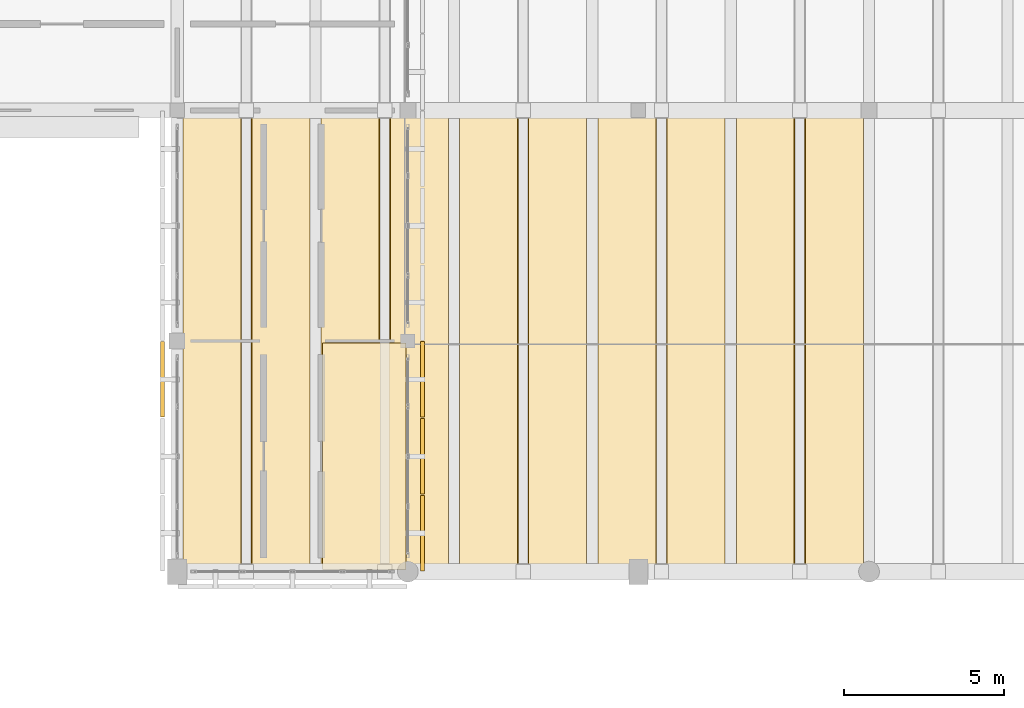
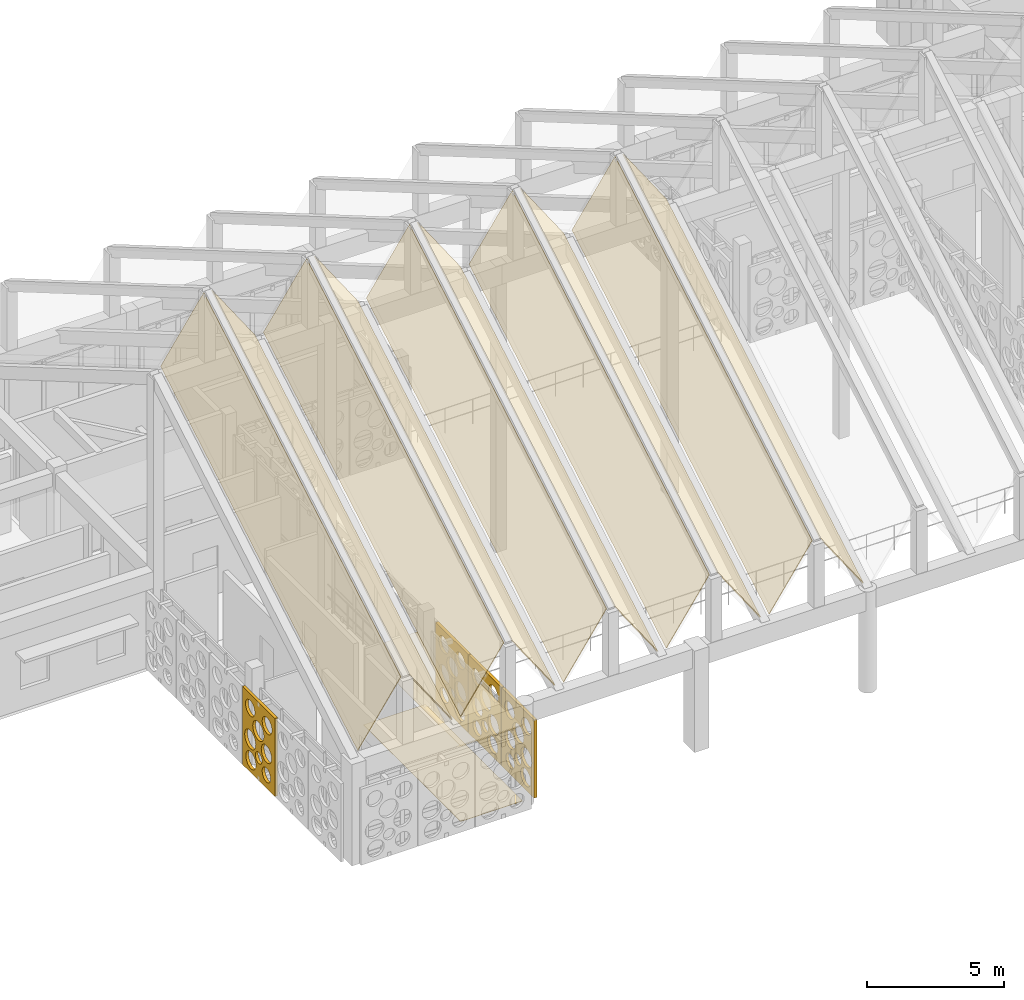
# One storey, part 154 of 171: 16 coverings.
"""IFC4 building model written with IfcOpenShell, lengths in metres."""

from ifc_helpers import new_model, si_unit, direction, frame, origin, place, context, subcontext, project, spatial, polyline, outline, extrude, material, layer, layer_set, type_object, element, save


model = new_model("IFC4")

# Units and contexts
model_context = context("Model", 3, precision=1e-05, world=origin(), true_north=direction((0.0, 1.0)))
body_context = subcontext(model_context, "Body", "Model", "MODEL_VIEW")
ifc_project = project(units=[si_unit("LENGTHUNIT", "METRE"), si_unit("AREAUNIT", "SQUARE_METRE"), si_unit("VOLUMEUNIT", "CUBIC_METRE"), si_unit("PLANEANGLEUNIT", "RADIAN"), si_unit("MASSUNIT", "GRAM", prefix="KILO")], contexts=[model_context])

# Site, building, storey
site_placement = place(None, origin())
site = spatial("IfcSite", under=ifc_project, at=site_placement, CompositionType="ELEMENT")
building_placement = place(site_placement, origin())
building = spatial("IfcBuilding", under=site, at=building_placement, Name="Aldebral Square Health Centre", CompositionType="ELEMENT")
storey_placement = place(building_placement, frame((0.0, 0.0, 4.5)))
storey = spatial("IfcBuildingStorey", under=building, at=storey_placement, Name="L01", CompositionType="ELEMENT", Elevation=4.5)

# Coverings
ifc_material_1 = material(Name="Hygienic acoustic mineral ceiling tile")
ifc_layer_1 = layer(ifc_material_1, 0.02001953125, Name="Hygienic acoustic mineral ceiling tile")
ifc_layer_set_1 = layer_set([ifc_layer_1], Name="Hygienic acoustic mineral ceiling tile")
covering_type_1 = type_object("IfcCoveringType", Name="COV-CLG-AC", PredefinedType="CEILING", material=ifc_layer_set_1)
covering_1_placement = place(storey_placement, frame((0.0, 0.0, 3.340087890625)))
element("IfcCovering", 1, at=covering_1_placement, inside=storey, type_object=covering_type_1, Name="L01 Patient Information Desk 10.11E acoustic ceiling", PredefinedType="CEILING", context=body_context, shape_type="SweptSolid", body=[
    extrude(outline(polyline([(69.340087890625, 72.06005859375), (71.93994140625, 72.06005859375), (71.93994140625, 79.139892578125), (69.340087890625, 79.139892578125), (69.340087890625, 72.06005859375)])), origin(), (0.0, 0.0, 1.0), 0.02001953125),
])
ifc_material_2 = material(Name="Antimicrobial clinical vinyl flooring")
ifc_layer_2 = layer(ifc_material_2, 0.014892578125, Name="Antimicrobial clinical vinyl flooring")
ifc_layer_set_2 = layer_set([ifc_layer_2], Name="Antimicrobial clinical vinyl flooring")
covering_type_2 = type_object("IfcCoveringType", Name="COV-FLR-VN", PredefinedType="FLOORING", material=ifc_layer_set_2)
covering_2_placement = place(storey_placement, origin())
element("IfcCovering", 2, at=covering_2_placement, inside=storey, type_object=covering_type_2, Name="L01 Patient Information Desk 10.11E clinical flooring", PredefinedType="FLOORING", context=body_context, shape_type="SweptSolid", body=[
    extrude(outline(polyline([(69.340087890625, 72.06005859375), (71.93994140625, 72.06005859375), (71.93994140625, 79.139892578125), (69.340087890625, 79.139892578125), (69.340087890625, 72.06005859375)])), origin(), (0.0, 0.0, 1.0), 0.014892578125),
])
ifc_material_3 = material(Name="Insulated mineral standing-seam roofing")
ifc_layer_3 = layer(ifc_material_3, 0.0400390625, Name="Insulated mineral standing-seam roofing")
ifc_layer_set_3 = layer_set([ifc_layer_3], Name="Insulated mineral standing-seam roofing")
covering_type_3 = type_object("IfcCoveringType", Name="COV-RF-40", PredefinedType="ROOFING", material=ifc_layer_set_3)
covering_3_placement = place(storey_placement, frame((64.97509765625, 72.0, 4.735595703125), z_axis=(-0.783166464322, -0.313311395424, 0.537109168288), x_axis=(0.565586180238, 0.0, 0.824689197652)))
element("IfcCovering", 3, at=covering_3_placement, inside=storey, type_object=covering_type_3, Name="Waiting Hall folded-plate roof bay 1 SW standing-seam roofing", PredefinedType="ROOFING", context=body_context, shape_type="SweptSolid", body=[
    extrude(outline(polyline([(0.0, 0.0), (3.19989157507911, 0.0), (10.098408659831637, 15.100385570024905), (6.898517084752526, 15.100385570024907), (0.0, 0.0)])), origin(), (0.0, 0.0, -1.0), 0.0400390625),
])
covering_4_placement = place(storey_placement, frame((67.135009765625, 72.0, 7.37451171875), z_axis=(0.783125616046, -0.3133373167, 0.537153605085), x_axis=(0.565638067086, 0.0, -0.82465361035)))
element("IfcCovering", 4, at=covering_4_placement, inside=storey, type_object=covering_type_3, Name="Waiting Hall folded-plate roof bay 1 SE standing-seam roofing", PredefinedType="ROOFING", context=body_context, shape_type="SweptSolid", body=[
    extrude(outline(polyline([(0.0, 0.0), (3.2000296639766255, -5.551115123125783e-17), (-3.6981897333421103, 15.100521563128028), (-6.898219397318735, 15.100521563128028), (0.0, 0.0)])), origin(), (0.0, 0.0, -1.0), 0.0400390625),
])
covering_5_placement = place(storey_placement, frame((69.294921875, 72.0, 4.735595703125), z_axis=(-0.783125616046, -0.3133373167, 0.537153605085), x_axis=(0.565638067086, 0.0, 0.82465361035)))
element("IfcCovering", 5, at=covering_5_placement, inside=storey, type_object=covering_type_3, Name="Waiting Hall folded-plate roof bay 2 SW standing-seam roofing", PredefinedType="ROOFING", context=body_context, shape_type="SweptSolid", body=[
    extrude(outline(polyline([(0.0, 0.0), (3.2000296639766255, 5.551115123125783e-17), (10.09824906129536, 15.100521563128028), (6.898219397318735, 15.100521563128028), (0.0, 0.0)])), origin(), (0.0, 0.0, -1.0), 0.0400390625),
])
covering_6_placement = place(storey_placement, frame((71.455078125, 72.0, 7.37451171875), z_axis=(0.783166464322, -0.313311395424, 0.537109168288), x_axis=(0.565586180238, 0.0, -0.824689197652)))
element("IfcCovering", 6, at=covering_6_placement, inside=storey, type_object=covering_type_3, Name="Waiting Hall folded-plate roof bay 2 SE standing-seam roofing", PredefinedType="ROOFING", context=body_context, shape_type="SweptSolid", body=[
    extrude(outline(polyline([(0.0, 0.0), (3.19989157507911, 0.0), (-3.6986255096734153, 15.100385570024907), (-6.898517084752526, 15.100385570024907), (0.0, 0.0)])), origin(), (0.0, 0.0, -1.0), 0.0400390625),
])
covering_7_placement = place(storey_placement, frame((73.614990234375, 72.0, 4.735595703125), z_axis=(-0.783125616046, -0.3133373167, 0.537153605085), x_axis=(0.565638067086, 0.0, 0.82465361035)))
element("IfcCovering", 7, at=covering_7_placement, inside=storey, type_object=covering_type_3, Name="Waiting Hall folded-plate roof bay 3 SW standing-seam roofing", PredefinedType="ROOFING", context=body_context, shape_type="SweptSolid", body=[
    extrude(outline(polyline([(0.0, 0.0), (3.2000296639766255, 5.551115123125783e-17), (10.09824906129536, 15.100521563128028), (6.898219397318735, 15.100521563128028), (0.0, 0.0)])), origin(), (0.0, 0.0, -1.0), 0.0400390625),
])
covering_8_placement = place(storey_placement, frame((75.77490234375, 72.0, 7.37451171875), z_axis=(0.783125616046, -0.3133373167, 0.537153605085), x_axis=(0.565638067086, 0.0, -0.82465361035)))
element("IfcCovering", 8, at=covering_8_placement, inside=storey, type_object=covering_type_3, Name="Waiting Hall folded-plate roof bay 3 SE standing-seam roofing", PredefinedType="ROOFING", context=body_context, shape_type="SweptSolid", body=[
    extrude(outline(polyline([(0.0, 0.0), (3.2000296639766255, -5.551115123125783e-17), (-3.6981897333421103, 15.100521563128028), (-6.898219397318735, 15.100521563128028), (0.0, 0.0)])), origin(), (0.0, 0.0, -1.0), 0.0400390625),
])
covering_9_placement = place(storey_placement, frame((77.93505859375, 72.0, 4.735595703125), z_axis=(-0.783125616046, -0.3133373167, 0.537153605085), x_axis=(0.565638067086, 0.0, 0.82465361035)))
element("IfcCovering", 9, at=covering_9_placement, inside=storey, type_object=covering_type_3, Name="Waiting Hall folded-plate roof bay 4 SW standing-seam roofing", PredefinedType="ROOFING", context=body_context, shape_type="SweptSolid", body=[
    extrude(outline(polyline([(0.0, 0.0), (3.2000296639766255, 5.551115123125783e-17), (10.09824906129536, 15.100521563128028), (6.898219397318735, 15.100521563128028), (0.0, 0.0)])), origin(), (0.0, 0.0, -1.0), 0.0400390625),
])
covering_10_placement = place(storey_placement, frame((80.094970703125, 72.0, 7.37451171875), z_axis=(0.783125616046, -0.3133373167, 0.537153605085), x_axis=(0.565638067086, 0.0, -0.82465361035)))
element("IfcCovering", 10, at=covering_10_placement, inside=storey, type_object=covering_type_3, Name="Waiting Hall folded-plate roof bay 4 SE standing-seam roofing", PredefinedType="ROOFING", context=body_context, shape_type="SweptSolid", body=[
    extrude(outline(polyline([(0.0, 0.0), (3.2000296639766255, -5.551115123125783e-17), (-3.6981897333421103, 15.100521563128028), (-6.898219397318735, 15.100521563128028), (0.0, 0.0)])), origin(), (0.0, 0.0, -1.0), 0.0400390625),
])
covering_11_placement = place(storey_placement, frame((82.2548828125, 72.0, 4.735595703125), z_axis=(-0.783125616046, -0.3133373167, 0.537153605085), x_axis=(0.565638067086, 0.0, 0.82465361035)))
element("IfcCovering", 11, at=covering_11_placement, inside=storey, type_object=covering_type_3, Name="Waiting Hall folded-plate roof bay 5 SW standing-seam roofing", PredefinedType="ROOFING", context=body_context, shape_type="SweptSolid", body=[
    extrude(outline(polyline([(0.0, 0.0), (3.2000296639766255, 5.551115123125783e-17), (10.09824906129536, 15.100521563128028), (6.898219397318735, 15.100521563128028), (0.0, 0.0)])), origin(), (0.0, 0.0, -1.0), 0.0400390625),
])
covering_12_placement = place(storey_placement, frame((84.4150390625, 72.0, 7.37451171875), z_axis=(0.783125616046, -0.3133373167, 0.537153605085), x_axis=(0.565638067086, 0.0, -0.82465361035)))
element("IfcCovering", 12, at=covering_12_placement, inside=storey, type_object=covering_type_3, Name="Waiting Hall folded-plate roof bay 5 SE standing-seam roofing", PredefinedType="ROOFING", context=body_context, shape_type="SweptSolid", body=[
    extrude(outline(polyline([(0.0, 0.0), (3.2000296639766255, -5.551115123125783e-17), (-3.6981897333421103, 15.100521563128028), (-6.898219397318735, 15.100521563128028), (0.0, 0.0)])), origin(), (0.0, 0.0, -1.0), 0.0400390625),
])
ifc_material_4 = material(Name="Cream cantera perforated stone screen", Category="masonry")
ifc_layer_4 = layer(ifc_material_4, 0.1201171875, Name="Cream cantera perforated stone screen", Category="masonry")
ifc_layer_set_4 = layer_set([ifc_layer_4], Name="Cream cantera perforated stone screen")
covering_type_4 = type_object("IfcCoveringType", Name="COV-SCR-120", PredefinedType="CLADDING", material=ifc_layer_set_4)
covering_13_placement = place(storey_placement, frame((64.340087890625, 79.179931640625, 0.0), z_axis=(0.0, 0.0, 1.0), x_axis=(0.0, -1.0, 0.0)))
element("IfcCovering", 13, at=covering_13_placement, inside=storey, type_object=covering_type_4, Name="L01 V1 circular-aperture stone screen L01-V1-09-10-W.1", PredefinedType="CLADDING", context=body_context, shape_type="SweptSolid", body=[
    extrude(outline(polyline([(0.0, 0.0), (2.35986328125, 0.0), (2.35986328125, 3.469970703125), (0.0, 3.469970703125), (0.0, 0.0)]), holes=[polyline([(0.98486328125, 0.55517578125), (0.966552734375, 0.4404296875), (0.913818359375, 0.3369140625), (0.831787109375, 0.2548828125), (0.728271484375, 0.2021484375), (0.613525390625, 0.18408203125), (0.498779296875, 0.2021484375), (0.3955078125, 0.2548828125), (0.313232421875, 0.3369140625), (0.260498046875, 0.4404296875), (0.242431640625, 0.55517578125), (0.260498046875, 0.669921875), (0.313232421875, 0.7734375), (0.3955078125, 0.85546875), (0.498779296875, 0.908203125), (0.613525390625, 0.926513671875), (0.728271484375, 0.908203125), (0.831787109375, 0.85546875), (0.913818359375, 0.7734375), (0.966552734375, 0.669921875), (0.98486328125, 0.55517578125)]), polyline([(2.059326171875, 0.58984375), (2.0439453125, 0.4931640625), (1.99951171875, 0.406005859375), (1.930419921875, 0.336669921875), (1.843017578125, 0.292236328125), (1.746337890625, 0.277099609375), (1.649658203125, 0.292236328125), (1.5625, 0.336669921875), (1.4931640625, 0.406005859375), (1.44873046875, 0.4931640625), (1.43359375, 0.58984375), (1.44873046875, 0.6865234375), (1.4931640625, 0.77392578125), (1.5625, 0.843017578125), (1.649658203125, 0.887451171875), (1.746337890625, 0.90283203125), (1.843017578125, 0.887451171875), (1.930419921875, 0.843017578125), (1.99951171875, 0.77392578125), (2.0439453125, 0.6865234375), (2.059326171875, 0.58984375)]), polyline([(0.970703125, 1.45751953125), (0.950927734375, 1.33251953125), (0.8935546875, 1.2197265625), (0.803955078125, 1.13037109375), (0.69140625, 1.072998046875), (0.56640625, 1.052978515625), (0.44140625, 1.072998046875), (0.328857421875, 1.13037109375), (0.2392578125, 1.2197265625), (0.181884765625, 1.33251953125), (0.162109375, 1.45751953125), (0.181884765625, 1.582275390625), (0.2392578125, 1.695068359375), (0.328857421875, 1.784423828125), (0.44140625, 1.841796875), (0.56640625, 1.86181640625), (0.69140625, 1.841796875), (0.803955078125, 1.784423828125), (0.8935546875, 1.695068359375), (0.950927734375, 1.582275390625), (0.970703125, 1.45751953125)]), polyline([(2.124267578125, 1.52685546875), (2.105712890625, 1.41015625), (2.052001953125, 1.3046875), (1.968505859375, 1.22119140625), (1.863037109375, 1.16748046875), (1.746337890625, 1.14892578125), (1.629638671875, 1.16748046875), (1.5244140625, 1.22119140625), (1.440673828125, 1.3046875), (1.38720703125, 1.41015625), (1.36865234375, 1.52685546875), (1.38720703125, 1.6435546875), (1.440673828125, 1.748779296875), (1.5244140625, 1.83251953125), (1.629638671875, 1.88623046875), (1.746337890625, 1.904541015625), (1.863037109375, 1.88623046875), (1.968505859375, 1.83251953125), (2.052001953125, 1.748779296875), (2.105712890625, 1.6435546875), (2.124267578125, 1.52685546875)]), polyline([(1.42431640625, 1.00634765625), (1.412353515625, 0.9306640625), (1.377685546875, 0.862548828125), (1.32373046875, 0.80859375), (1.255615234375, 0.77392578125), (1.179931640625, 0.761962890625), (1.1044921875, 0.77392578125), (1.036376953125, 0.80859375), (0.982177734375, 0.862548828125), (0.947509765625, 0.9306640625), (0.935546875, 1.00634765625), (0.947509765625, 1.081787109375), (0.982177734375, 1.14990234375), (1.036376953125, 1.2041015625), (1.1044921875, 1.23876953125), (1.179931640625, 1.250732421875), (1.255615234375, 1.23876953125), (1.32373046875, 1.2041015625), (1.377685546875, 1.14990234375), (1.412353515625, 1.081787109375), (1.42431640625, 1.00634765625)]), polyline([(1.563232421875, 2.18603515625), (1.54345703125, 2.060302734375), (1.485595703125, 1.947021484375), (1.3955078125, 1.85693359375), (1.2822265625, 1.799072265625), (1.156494140625, 1.779296875), (1.03076171875, 1.799072265625), (0.917236328125, 1.85693359375), (0.8271484375, 1.947021484375), (0.76953125, 2.060302734375), (0.74951171875, 2.18603515625), (0.76953125, 2.311767578125), (0.8271484375, 2.42529296875), (0.917236328125, 2.515380859375), (1.03076171875, 2.572998046875), (1.156494140625, 2.593017578125), (1.2822265625, 2.572998046875), (1.3955078125, 2.515380859375), (1.485595703125, 2.42529296875), (1.54345703125, 2.311767578125), (1.563232421875, 2.18603515625)]), polyline([(0.9091796875, 2.845458984375), (0.892333984375, 2.739501953125), (0.84375, 2.64404296875), (0.767822265625, 2.568115234375), (0.67236328125, 2.51953125), (0.56640625, 2.502685546875), (0.46044921875, 2.51953125), (0.364990234375, 2.568115234375), (0.2890625, 2.64404296875), (0.240478515625, 2.739501953125), (0.2236328125, 2.845458984375), (0.240478515625, 2.951416015625), (0.2890625, 3.046875), (0.364990234375, 3.12255859375), (0.46044921875, 3.17138671875), (0.56640625, 3.18798828125), (0.67236328125, 3.17138671875), (0.767822265625, 3.12255859375), (0.84375, 3.046875), (0.892333984375, 2.951416015625), (0.9091796875, 2.845458984375)]), polyline([(2.1513671875, 2.810791015625), (2.1337890625, 2.7001953125), (2.0830078125, 2.600341796875), (2.00390625, 2.521240234375), (1.904052734375, 2.470458984375), (1.793701171875, 2.452880859375), (1.68310546875, 2.470458984375), (1.583251953125, 2.521240234375), (1.504150390625, 2.600341796875), (1.453369140625, 2.7001953125), (1.435791015625, 2.810791015625), (1.453369140625, 2.921142578125), (1.504150390625, 3.02099609375), (1.583251953125, 3.10009765625), (1.68310546875, 3.15087890625), (1.793701171875, 3.16845703125), (1.904052734375, 3.15087890625), (2.00390625, 3.10009765625), (2.0830078125, 3.02099609375), (2.1337890625, 2.921142578125), (2.1513671875, 2.810791015625)])]), frame((0.0, 0.06005859375, 0.0), z_axis=(0.0, -1.0, 0.0), x_axis=(1.0, 0.0, 0.0)), (0.0, 0.0, 1.0), 0.1201171875),
])
covering_14_placement = place(storey_placement, frame((72.4599609375, 72.02001953125, 0.0), z_axis=(0.0, 0.0, 1.0), x_axis=(0.0, 1.0, 0.0)))
element("IfcCovering", 14, at=covering_14_placement, inside=storey, type_object=covering_type_4, Name="L01 V1 circular-aperture stone screen L01-V1-09-10-E.1", PredefinedType="CLADDING", context=body_context, shape_type="SweptSolid", body=[
    extrude(outline(polyline([(0.0, 0.0), (2.35986328125, 0.0), (2.35986328125, 3.469970703125), (0.0, 3.469970703125), (0.0, 0.0)]), holes=[polyline([(0.98486328125, 0.55517578125), (0.966552734375, 0.4404296875), (0.913818359375, 0.3369140625), (0.831787109375, 0.2548828125), (0.728271484375, 0.2021484375), (0.613525390625, 0.18408203125), (0.498779296875, 0.2021484375), (0.3955078125, 0.2548828125), (0.313232421875, 0.3369140625), (0.260498046875, 0.4404296875), (0.242431640625, 0.55517578125), (0.260498046875, 0.669921875), (0.313232421875, 0.7734375), (0.3955078125, 0.85546875), (0.498779296875, 0.908203125), (0.613525390625, 0.926513671875), (0.728271484375, 0.908203125), (0.831787109375, 0.85546875), (0.913818359375, 0.7734375), (0.966552734375, 0.669921875), (0.98486328125, 0.55517578125)]), polyline([(2.059326171875, 0.58984375), (2.0439453125, 0.4931640625), (1.99951171875, 0.406005859375), (1.930419921875, 0.336669921875), (1.843017578125, 0.292236328125), (1.746337890625, 0.277099609375), (1.649658203125, 0.292236328125), (1.5625, 0.336669921875), (1.4931640625, 0.406005859375), (1.44873046875, 0.4931640625), (1.43359375, 0.58984375), (1.44873046875, 0.6865234375), (1.4931640625, 0.77392578125), (1.5625, 0.843017578125), (1.649658203125, 0.887451171875), (1.746337890625, 0.90283203125), (1.843017578125, 0.887451171875), (1.930419921875, 0.843017578125), (1.99951171875, 0.77392578125), (2.0439453125, 0.6865234375), (2.059326171875, 0.58984375)]), polyline([(0.970703125, 1.45751953125), (0.950927734375, 1.33251953125), (0.8935546875, 1.2197265625), (0.803955078125, 1.13037109375), (0.69140625, 1.072998046875), (0.56640625, 1.052978515625), (0.44140625, 1.072998046875), (0.328857421875, 1.13037109375), (0.2392578125, 1.2197265625), (0.181884765625, 1.33251953125), (0.162109375, 1.45751953125), (0.181884765625, 1.582275390625), (0.2392578125, 1.695068359375), (0.328857421875, 1.784423828125), (0.44140625, 1.841796875), (0.56640625, 1.86181640625), (0.69140625, 1.841796875), (0.803955078125, 1.784423828125), (0.8935546875, 1.695068359375), (0.950927734375, 1.582275390625), (0.970703125, 1.45751953125)]), polyline([(2.124267578125, 1.52685546875), (2.105712890625, 1.41015625), (2.052001953125, 1.3046875), (1.968505859375, 1.22119140625), (1.863037109375, 1.16748046875), (1.746337890625, 1.14892578125), (1.629638671875, 1.16748046875), (1.5244140625, 1.22119140625), (1.440673828125, 1.3046875), (1.38720703125, 1.41015625), (1.36865234375, 1.52685546875), (1.38720703125, 1.6435546875), (1.440673828125, 1.748779296875), (1.5244140625, 1.83251953125), (1.629638671875, 1.88623046875), (1.746337890625, 1.904541015625), (1.863037109375, 1.88623046875), (1.968505859375, 1.83251953125), (2.052001953125, 1.748779296875), (2.105712890625, 1.6435546875), (2.124267578125, 1.52685546875)]), polyline([(1.42431640625, 1.00634765625), (1.412353515625, 0.9306640625), (1.377685546875, 0.862548828125), (1.32373046875, 0.80859375), (1.255615234375, 0.77392578125), (1.179931640625, 0.761962890625), (1.1044921875, 0.77392578125), (1.036376953125, 0.80859375), (0.982177734375, 0.862548828125), (0.947509765625, 0.9306640625), (0.935546875, 1.00634765625), (0.947509765625, 1.081787109375), (0.982177734375, 1.14990234375), (1.036376953125, 1.2041015625), (1.1044921875, 1.23876953125), (1.179931640625, 1.250732421875), (1.255615234375, 1.23876953125), (1.32373046875, 1.2041015625), (1.377685546875, 1.14990234375), (1.412353515625, 1.081787109375), (1.42431640625, 1.00634765625)]), polyline([(1.563232421875, 2.18603515625), (1.54345703125, 2.060302734375), (1.485595703125, 1.947021484375), (1.3955078125, 1.85693359375), (1.2822265625, 1.799072265625), (1.156494140625, 1.779296875), (1.03076171875, 1.799072265625), (0.917236328125, 1.85693359375), (0.8271484375, 1.947021484375), (0.76953125, 2.060302734375), (0.74951171875, 2.18603515625), (0.76953125, 2.311767578125), (0.8271484375, 2.42529296875), (0.917236328125, 2.515380859375), (1.03076171875, 2.572998046875), (1.156494140625, 2.593017578125), (1.2822265625, 2.572998046875), (1.3955078125, 2.515380859375), (1.485595703125, 2.42529296875), (1.54345703125, 2.311767578125), (1.563232421875, 2.18603515625)]), polyline([(0.9091796875, 2.845458984375), (0.892333984375, 2.739501953125), (0.84375, 2.64404296875), (0.767822265625, 2.568115234375), (0.67236328125, 2.51953125), (0.56640625, 2.502685546875), (0.46044921875, 2.51953125), (0.364990234375, 2.568115234375), (0.2890625, 2.64404296875), (0.240478515625, 2.739501953125), (0.2236328125, 2.845458984375), (0.240478515625, 2.951416015625), (0.2890625, 3.046875), (0.364990234375, 3.12255859375), (0.46044921875, 3.17138671875), (0.56640625, 3.18798828125), (0.67236328125, 3.17138671875), (0.767822265625, 3.12255859375), (0.84375, 3.046875), (0.892333984375, 2.951416015625), (0.9091796875, 2.845458984375)]), polyline([(2.1513671875, 2.810791015625), (2.1337890625, 2.7001953125), (2.0830078125, 2.600341796875), (2.00390625, 2.521240234375), (1.904052734375, 2.470458984375), (1.793701171875, 2.452880859375), (1.68310546875, 2.470458984375), (1.583251953125, 2.521240234375), (1.504150390625, 2.600341796875), (1.453369140625, 2.7001953125), (1.435791015625, 2.810791015625), (1.453369140625, 2.921142578125), (1.504150390625, 3.02099609375), (1.583251953125, 3.10009765625), (1.68310546875, 3.15087890625), (1.793701171875, 3.16845703125), (1.904052734375, 3.15087890625), (2.00390625, 3.10009765625), (2.0830078125, 3.02099609375), (2.1337890625, 2.921142578125), (2.1513671875, 2.810791015625)])]), frame((0.0, 0.06005859375, 0.0), z_axis=(0.0, -1.0, 0.0), x_axis=(1.0, 0.0, 0.0)), (0.0, 0.0, 1.0), 0.1201171875),
])
covering_15_placement = place(storey_placement, frame((72.4599609375, 74.419921875, 0.0), z_axis=(0.0, 0.0, 1.0), x_axis=(0.0, 1.0, 0.0)))
element("IfcCovering", 15, at=covering_15_placement, inside=storey, type_object=covering_type_4, Name="L01 V1 circular-aperture stone screen L01-V1-09-10-E.2", PredefinedType="CLADDING", context=body_context, shape_type="SweptSolid", body=[
    extrude(outline(polyline([(0.0, 0.0), (2.360107421875, 0.0), (2.360107421875, 3.469970703125), (0.0, 3.469970703125), (0.0, 0.0)]), holes=[polyline([(0.98486328125, 0.55517578125), (0.966552734375, 0.4404296875), (0.913818359375, 0.3369140625), (0.831787109375, 0.2548828125), (0.728271484375, 0.2021484375), (0.613525390625, 0.18408203125), (0.498779296875, 0.2021484375), (0.3955078125, 0.2548828125), (0.313232421875, 0.3369140625), (0.260498046875, 0.4404296875), (0.242431640625, 0.55517578125), (0.260498046875, 0.669921875), (0.313232421875, 0.7734375), (0.3955078125, 0.85546875), (0.498779296875, 0.908203125), (0.613525390625, 0.926513671875), (0.728271484375, 0.908203125), (0.831787109375, 0.85546875), (0.913818359375, 0.7734375), (0.966552734375, 0.669921875), (0.98486328125, 0.55517578125)]), polyline([(2.059326171875, 0.58984375), (2.0439453125, 0.4931640625), (1.99951171875, 0.406005859375), (1.930419921875, 0.336669921875), (1.843017578125, 0.292236328125), (1.746337890625, 0.277099609375), (1.649658203125, 0.292236328125), (1.5625, 0.336669921875), (1.4931640625, 0.406005859375), (1.44873046875, 0.4931640625), (1.43359375, 0.58984375), (1.44873046875, 0.6865234375), (1.4931640625, 0.77392578125), (1.5625, 0.843017578125), (1.649658203125, 0.887451171875), (1.746337890625, 0.90283203125), (1.843017578125, 0.887451171875), (1.930419921875, 0.843017578125), (1.99951171875, 0.77392578125), (2.0439453125, 0.6865234375), (2.059326171875, 0.58984375)]), polyline([(0.970703125, 1.45751953125), (0.950927734375, 1.33251953125), (0.8935546875, 1.2197265625), (0.803955078125, 1.13037109375), (0.69140625, 1.072998046875), (0.56640625, 1.052978515625), (0.44140625, 1.072998046875), (0.328857421875, 1.13037109375), (0.2392578125, 1.2197265625), (0.181884765625, 1.33251953125), (0.162109375, 1.45751953125), (0.181884765625, 1.582275390625), (0.2392578125, 1.695068359375), (0.328857421875, 1.784423828125), (0.44140625, 1.841796875), (0.56640625, 1.86181640625), (0.69140625, 1.841796875), (0.803955078125, 1.784423828125), (0.8935546875, 1.695068359375), (0.950927734375, 1.582275390625), (0.970703125, 1.45751953125)]), polyline([(2.124267578125, 1.52685546875), (2.105712890625, 1.41015625), (2.052001953125, 1.3046875), (1.968505859375, 1.22119140625), (1.863037109375, 1.16748046875), (1.746337890625, 1.14892578125), (1.629638671875, 1.16748046875), (1.5244140625, 1.22119140625), (1.440673828125, 1.3046875), (1.38720703125, 1.41015625), (1.36865234375, 1.52685546875), (1.38720703125, 1.6435546875), (1.440673828125, 1.748779296875), (1.5244140625, 1.83251953125), (1.629638671875, 1.88623046875), (1.746337890625, 1.904541015625), (1.863037109375, 1.88623046875), (1.968505859375, 1.83251953125), (2.052001953125, 1.748779296875), (2.105712890625, 1.6435546875), (2.124267578125, 1.52685546875)]), polyline([(1.42431640625, 1.00634765625), (1.412353515625, 0.9306640625), (1.377685546875, 0.862548828125), (1.32373046875, 0.80859375), (1.255615234375, 0.77392578125), (1.179931640625, 0.761962890625), (1.1044921875, 0.77392578125), (1.036376953125, 0.80859375), (0.982177734375, 0.862548828125), (0.947509765625, 0.9306640625), (0.935546875, 1.00634765625), (0.947509765625, 1.081787109375), (0.982177734375, 1.14990234375), (1.036376953125, 1.2041015625), (1.1044921875, 1.23876953125), (1.179931640625, 1.250732421875), (1.255615234375, 1.23876953125), (1.32373046875, 1.2041015625), (1.377685546875, 1.14990234375), (1.412353515625, 1.081787109375), (1.42431640625, 1.00634765625)]), polyline([(1.563232421875, 2.18603515625), (1.54345703125, 2.060302734375), (1.485595703125, 1.947021484375), (1.3955078125, 1.85693359375), (1.2822265625, 1.799072265625), (1.156494140625, 1.779296875), (1.03076171875, 1.799072265625), (0.917236328125, 1.85693359375), (0.8271484375, 1.947021484375), (0.76953125, 2.060302734375), (0.74951171875, 2.18603515625), (0.76953125, 2.311767578125), (0.8271484375, 2.42529296875), (0.917236328125, 2.515380859375), (1.03076171875, 2.572998046875), (1.156494140625, 2.593017578125), (1.2822265625, 2.572998046875), (1.3955078125, 2.515380859375), (1.485595703125, 2.42529296875), (1.54345703125, 2.311767578125), (1.563232421875, 2.18603515625)]), polyline([(0.9091796875, 2.845458984375), (0.892333984375, 2.739501953125), (0.84375, 2.64404296875), (0.767822265625, 2.568115234375), (0.67236328125, 2.51953125), (0.56640625, 2.502685546875), (0.46044921875, 2.51953125), (0.364990234375, 2.568115234375), (0.2890625, 2.64404296875), (0.240478515625, 2.739501953125), (0.2236328125, 2.845458984375), (0.240478515625, 2.951416015625), (0.2890625, 3.046875), (0.364990234375, 3.12255859375), (0.46044921875, 3.17138671875), (0.56640625, 3.18798828125), (0.67236328125, 3.17138671875), (0.767822265625, 3.12255859375), (0.84375, 3.046875), (0.892333984375, 2.951416015625), (0.9091796875, 2.845458984375)]), polyline([(2.1513671875, 2.810791015625), (2.1337890625, 2.7001953125), (2.0830078125, 2.600341796875), (2.00390625, 2.521240234375), (1.904052734375, 2.470458984375), (1.793701171875, 2.452880859375), (1.68310546875, 2.470458984375), (1.583251953125, 2.521240234375), (1.504150390625, 2.600341796875), (1.453369140625, 2.7001953125), (1.435791015625, 2.810791015625), (1.453369140625, 2.921142578125), (1.504150390625, 3.02099609375), (1.583251953125, 3.10009765625), (1.68310546875, 3.15087890625), (1.793701171875, 3.16845703125), (1.904052734375, 3.15087890625), (2.00390625, 3.10009765625), (2.0830078125, 3.02099609375), (2.1337890625, 2.921142578125), (2.1513671875, 2.810791015625)])]), frame((0.0, 0.06005859375, 0.0), z_axis=(0.0, -1.0, 0.0), x_axis=(1.0, 0.0, 0.0)), (0.0, 0.0, 1.0), 0.1201171875),
])
covering_16_placement = place(storey_placement, frame((72.4599609375, 76.820068359375, 0.0), z_axis=(0.0, 0.0, 1.0), x_axis=(0.0, 1.0, 0.0)))
element("IfcCovering", 16, at=covering_16_placement, inside=storey, type_object=covering_type_4, Name="L01 V1 circular-aperture stone screen L01-V1-09-10-E.3", PredefinedType="CLADDING", context=body_context, shape_type="SweptSolid", body=[
    extrude(outline(polyline([(0.0, 0.0), (2.35986328125, 0.0), (2.35986328125, 3.469970703125), (0.0, 3.469970703125), (0.0, 0.0)]), holes=[polyline([(0.98486328125, 0.55517578125), (0.966552734375, 0.4404296875), (0.913818359375, 0.3369140625), (0.831787109375, 0.2548828125), (0.728271484375, 0.2021484375), (0.613525390625, 0.18408203125), (0.498779296875, 0.2021484375), (0.3955078125, 0.2548828125), (0.313232421875, 0.3369140625), (0.260498046875, 0.4404296875), (0.242431640625, 0.55517578125), (0.260498046875, 0.669921875), (0.313232421875, 0.7734375), (0.3955078125, 0.85546875), (0.498779296875, 0.908203125), (0.613525390625, 0.926513671875), (0.728271484375, 0.908203125), (0.831787109375, 0.85546875), (0.913818359375, 0.7734375), (0.966552734375, 0.669921875), (0.98486328125, 0.55517578125)]), polyline([(2.059326171875, 0.58984375), (2.0439453125, 0.4931640625), (1.99951171875, 0.406005859375), (1.930419921875, 0.336669921875), (1.843017578125, 0.292236328125), (1.746337890625, 0.277099609375), (1.649658203125, 0.292236328125), (1.5625, 0.336669921875), (1.4931640625, 0.406005859375), (1.44873046875, 0.4931640625), (1.43359375, 0.58984375), (1.44873046875, 0.6865234375), (1.4931640625, 0.77392578125), (1.5625, 0.843017578125), (1.649658203125, 0.887451171875), (1.746337890625, 0.90283203125), (1.843017578125, 0.887451171875), (1.930419921875, 0.843017578125), (1.99951171875, 0.77392578125), (2.0439453125, 0.6865234375), (2.059326171875, 0.58984375)]), polyline([(0.970703125, 1.45751953125), (0.950927734375, 1.33251953125), (0.8935546875, 1.2197265625), (0.803955078125, 1.13037109375), (0.69140625, 1.072998046875), (0.56640625, 1.052978515625), (0.44140625, 1.072998046875), (0.328857421875, 1.13037109375), (0.2392578125, 1.2197265625), (0.181884765625, 1.33251953125), (0.162109375, 1.45751953125), (0.181884765625, 1.582275390625), (0.2392578125, 1.695068359375), (0.328857421875, 1.784423828125), (0.44140625, 1.841796875), (0.56640625, 1.86181640625), (0.69140625, 1.841796875), (0.803955078125, 1.784423828125), (0.8935546875, 1.695068359375), (0.950927734375, 1.582275390625), (0.970703125, 1.45751953125)]), polyline([(2.124267578125, 1.52685546875), (2.105712890625, 1.41015625), (2.052001953125, 1.3046875), (1.968505859375, 1.22119140625), (1.863037109375, 1.16748046875), (1.746337890625, 1.14892578125), (1.629638671875, 1.16748046875), (1.5244140625, 1.22119140625), (1.440673828125, 1.3046875), (1.38720703125, 1.41015625), (1.36865234375, 1.52685546875), (1.38720703125, 1.6435546875), (1.440673828125, 1.748779296875), (1.5244140625, 1.83251953125), (1.629638671875, 1.88623046875), (1.746337890625, 1.904541015625), (1.863037109375, 1.88623046875), (1.968505859375, 1.83251953125), (2.052001953125, 1.748779296875), (2.105712890625, 1.6435546875), (2.124267578125, 1.52685546875)]), polyline([(1.42431640625, 1.00634765625), (1.412353515625, 0.9306640625), (1.377685546875, 0.862548828125), (1.32373046875, 0.80859375), (1.255615234375, 0.77392578125), (1.179931640625, 0.761962890625), (1.1044921875, 0.77392578125), (1.036376953125, 0.80859375), (0.982177734375, 0.862548828125), (0.947509765625, 0.9306640625), (0.935546875, 1.00634765625), (0.947509765625, 1.081787109375), (0.982177734375, 1.14990234375), (1.036376953125, 1.2041015625), (1.1044921875, 1.23876953125), (1.179931640625, 1.250732421875), (1.255615234375, 1.23876953125), (1.32373046875, 1.2041015625), (1.377685546875, 1.14990234375), (1.412353515625, 1.081787109375), (1.42431640625, 1.00634765625)]), polyline([(1.563232421875, 2.18603515625), (1.54345703125, 2.060302734375), (1.485595703125, 1.947021484375), (1.3955078125, 1.85693359375), (1.2822265625, 1.799072265625), (1.156494140625, 1.779296875), (1.03076171875, 1.799072265625), (0.917236328125, 1.85693359375), (0.8271484375, 1.947021484375), (0.76953125, 2.060302734375), (0.74951171875, 2.18603515625), (0.76953125, 2.311767578125), (0.8271484375, 2.42529296875), (0.917236328125, 2.515380859375), (1.03076171875, 2.572998046875), (1.156494140625, 2.593017578125), (1.2822265625, 2.572998046875), (1.3955078125, 2.515380859375), (1.485595703125, 2.42529296875), (1.54345703125, 2.311767578125), (1.563232421875, 2.18603515625)]), polyline([(0.9091796875, 2.845458984375), (0.892333984375, 2.739501953125), (0.84375, 2.64404296875), (0.767822265625, 2.568115234375), (0.67236328125, 2.51953125), (0.56640625, 2.502685546875), (0.46044921875, 2.51953125), (0.364990234375, 2.568115234375), (0.2890625, 2.64404296875), (0.240478515625, 2.739501953125), (0.2236328125, 2.845458984375), (0.240478515625, 2.951416015625), (0.2890625, 3.046875), (0.364990234375, 3.12255859375), (0.46044921875, 3.17138671875), (0.56640625, 3.18798828125), (0.67236328125, 3.17138671875), (0.767822265625, 3.12255859375), (0.84375, 3.046875), (0.892333984375, 2.951416015625), (0.9091796875, 2.845458984375)]), polyline([(2.1513671875, 2.810791015625), (2.1337890625, 2.7001953125), (2.0830078125, 2.600341796875), (2.00390625, 2.521240234375), (1.904052734375, 2.470458984375), (1.793701171875, 2.452880859375), (1.68310546875, 2.470458984375), (1.583251953125, 2.521240234375), (1.504150390625, 2.600341796875), (1.453369140625, 2.7001953125), (1.435791015625, 2.810791015625), (1.453369140625, 2.921142578125), (1.504150390625, 3.02099609375), (1.583251953125, 3.10009765625), (1.68310546875, 3.15087890625), (1.793701171875, 3.16845703125), (1.904052734375, 3.15087890625), (2.00390625, 3.10009765625), (2.0830078125, 3.02099609375), (2.1337890625, 2.921142578125), (2.1513671875, 2.810791015625)])]), frame((0.0, 0.06005859375, 0.0), z_axis=(0.0, -1.0, 0.0), x_axis=(1.0, 0.0, 0.0)), (0.0, 0.0, 1.0), 0.1201171875),
])

save(model, "model.ifc")
